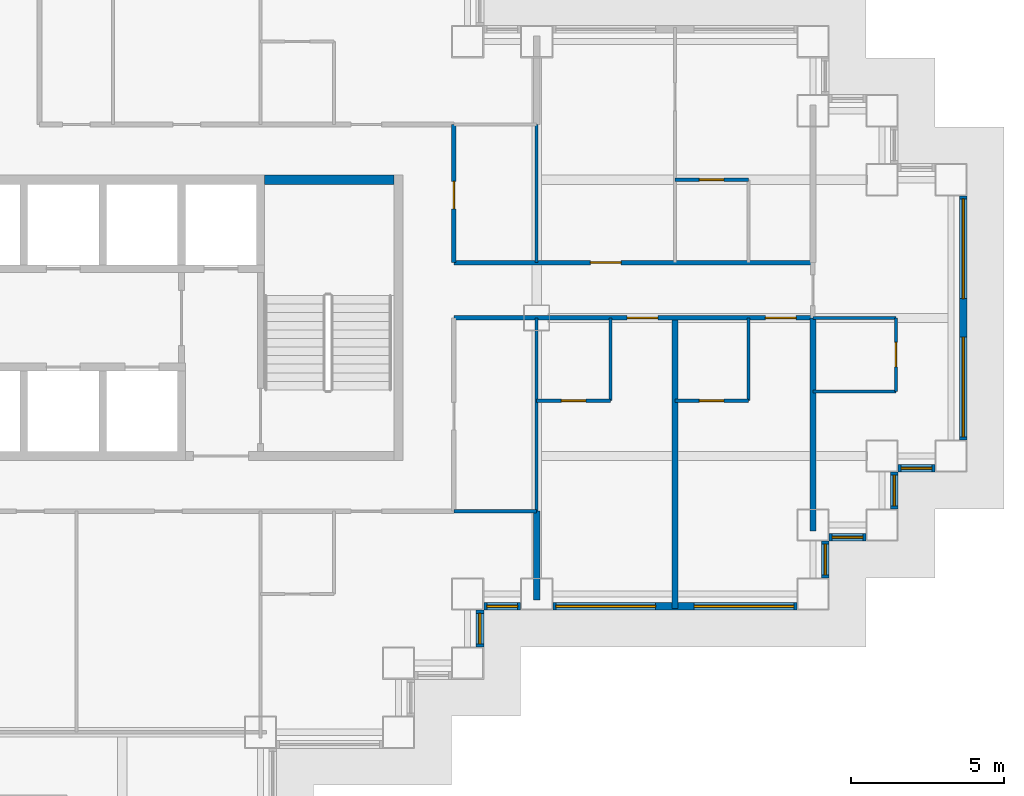
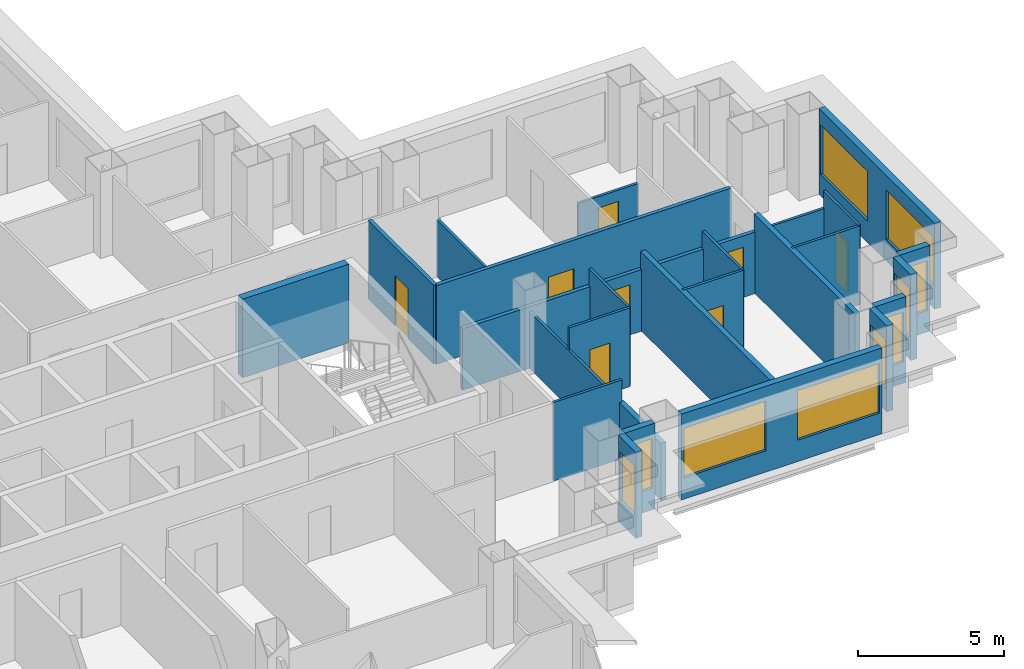
# One storey, part 6 of 14: 26 walls, 10 windows, 8 doors, 18 openings.
"""IFC4 building model written with IfcOpenShell, lengths in metres."""

from ifc_helpers import new_model, si_unit, direction, frame, frame_2d, origin, place, context, subcontext, project, spatial, rectangle, extrude, material, layer, layer_set, type_object, element, fill, save


model = new_model("IFC4")

# Units and contexts
model_context = context("Model", 3, precision=1e-05, world=origin(), true_north=direction((0.0, 1.0)))
body_context = subcontext(model_context, "Body", "Model", "MODEL_VIEW")
ifc_project = project(units=[si_unit("LENGTHUNIT", "METRE"), si_unit("AREAUNIT", "SQUARE_METRE"), si_unit("VOLUMEUNIT", "CUBIC_METRE"), si_unit("PLANEANGLEUNIT", "RADIAN"), si_unit("MASSUNIT", "GRAM", prefix="KILO")], contexts=[model_context])

# Site, building, storey
site_placement = place(None, origin())
site = spatial("IfcSite", under=ifc_project, at=site_placement, CompositionType="ELEMENT")
building_placement = place(site_placement, origin())
building = spatial("IfcBuilding", under=site, at=building_placement, Name="Caravel Reach Hotel and Residences", CompositionType="ELEMENT")
storey_placement = place(building_placement, frame((0.0, 0.0, 40.800048828125)))
storey = spatial("IfcBuildingStorey", under=building, at=storey_placement, Name="L08", CompositionType="ELEMENT", Elevation=40.800048828125)

# Wall, opening, door
ifc_material_1 = material(Name="Gypsum board on steel stud", Category="steel")
ifc_layer_1 = layer(ifc_material_1, 0.10009765625)
ifc_layer_set_1 = layer_set([ifc_layer_1], Name="Bathroom pod wall 100 mm")
wall_type_1 = type_object("IfcWallType", Name="Bathroom pod wall 100 mm", PredefinedType="PARTITIONING", material=ifc_layer_set_1)
wall_1_placement = place(storey_placement, frame((49.5, 24.300048828125, 0.0), z_axis=(0.0, 0.0, 1.0), x_axis=(1.0, 0.0, 0.0)))
wall_1 = element("IfcWall", 1, at=wall_1_placement, inside=storey, type_object=wall_type_1, Name="L08 wall w079", PredefinedType="PARTITIONING", context=body_context, shape_type="SweptSolid", body=[
    extrude(rectangle(XDim=2.39990234375, YDim=0.10009765625, at=frame_2d((1.199951171875, 0.0))), origin(), (0.0, 0.0, 1.0), 3.300048828125),
])
opening_1_placement = place(wall_1_placement, frame((0.800048828125, 0.0, 0.0)))
opening_1 = element("IfcOpeningElement", 2, at=opening_1_placement, cuts=wall_1, Name="Opening D08-020", PredefinedType="OPENING", context=body_context, shape_type="SweptSolid", body=[
    extrude(rectangle(XDim=0.800048828125, YDim=2.10009765625, at=frame_2d((0.39990234375, 1.050048828125))), frame((0.0, 0.06005859375, 0.0), z_axis=(0.0, -1.0, 0.0), x_axis=(1.0, 0.0, 0.0)), (0.0, 0.0, 1.0), 0.1201171875),
])
ifc_material_2 = material(Name="Timber and steel door leaf", Category="steel")
door_type_1 = type_object("IfcDoorType", Name="Bathroom door 800 x 2100", OperationType="SINGLE_SWING_LEFT", PredefinedType="DOOR", material=ifc_material_2)
door_1_placement = place(opening_1_placement, origin())
door_1 = element("IfcDoor", 3, at=door_1_placement, inside=storey, type_object=door_type_1, Name="door D08-020", OperationType="SINGLE_SWING_RIGHT", OverallHeight=2.10009765625, OverallWidth=0.800048828125, PredefinedType="DOOR", context=body_context, shape_type="SweptSolid", body=[
    extrude(rectangle(XDim=0.800048828125, YDim=2.10009765625, at=frame_2d((0.39990234375, 1.050048828125))), frame((0.0, 0.02490234375, 0.0), z_axis=(0.0, -1.0, 0.0), x_axis=(1.0, 0.0, 0.0)), (0.0, 0.0, 1.0), 0.050048828125),
])
fill(opening_1, door_1)

wall_2_placement = place(storey_placement, frame((54.0, 24.300048828125, 0.0), z_axis=(0.0, 0.0, 1.0), x_axis=(1.0, 0.0, 0.0)))
wall_2 = element("IfcWall", 4, at=wall_2_placement, inside=storey, type_object=wall_type_1, Name="L08 wall w080", PredefinedType="PARTITIONING", context=body_context, shape_type="SweptSolid", body=[
    extrude(rectangle(XDim=2.39990234375, YDim=0.10009765625, at=frame_2d((1.199951171875, 0.0))), origin(), (0.0, 0.0, 1.0), 3.300048828125),
])
opening_2_placement = place(wall_2_placement, frame((0.800048828125, 0.0, 0.0)))
opening_2 = element("IfcOpeningElement", 5, at=opening_2_placement, cuts=wall_2, Name="Opening D08-022", PredefinedType="OPENING", context=body_context, shape_type="SweptSolid", body=[
    extrude(rectangle(XDim=0.800048828125, YDim=2.10009765625, at=frame_2d((0.39990234375, 1.050048828125))), frame((0.0, 0.06005859375, 0.0), z_axis=(0.0, -1.0, 0.0), x_axis=(1.0, 0.0, 0.0)), (0.0, 0.0, 1.0), 0.1201171875),
])
door_2_placement = place(opening_2_placement, origin())
door_2 = element("IfcDoor", 6, at=door_2_placement, inside=storey, type_object=door_type_1, Name="door D08-022", OperationType="SINGLE_SWING_RIGHT", OverallHeight=2.10009765625, OverallWidth=0.800048828125, PredefinedType="DOOR", context=body_context, shape_type="SweptSolid", body=[
    extrude(rectangle(XDim=0.800048828125, YDim=2.10009765625, at=frame_2d((0.39990234375, 1.050048828125))), frame((0.0, 0.02490234375, 0.0), z_axis=(0.0, -1.0, 0.0), x_axis=(1.0, 0.0, 0.0)), (0.0, 0.0, 1.0), 0.050048828125),
])
fill(opening_2, door_2)

# Walls
wall_3_placement = place(storey_placement, frame((58.5, 24.60009765625, 0.0), z_axis=(0.0, 0.0, 1.0), x_axis=(1.0, 0.0, 0.0)))
element("IfcWall", 7, at=wall_3_placement, inside=storey, type_object=wall_type_1, Name="L08 wall w081", PredefinedType="PARTITIONING", context=body_context, shape_type="SweptSolid", body=[
    extrude(rectangle(XDim=2.699951171875, YDim=0.10009765625, at=frame_2d((1.35009765625, 0.0))), origin(), (0.0, 0.0, 1.0), 3.300048828125),
])
wall_4_placement = place(storey_placement, frame((58.5, 27.0, 0.0), z_axis=(0.0, 0.0, 1.0), x_axis=(1.0, 0.0, 0.0)))
element("IfcWall", 8, at=wall_4_placement, inside=storey, type_object=wall_type_1, Name="L08 wall w082", PredefinedType="PARTITIONING", context=body_context, shape_type="SweptSolid", body=[
    extrude(rectangle(XDim=2.699951171875, YDim=0.10009765625, at=frame_2d((1.35009765625, 0.0))), origin(), (0.0, 0.0, 1.0), 2.579833984375),
])

# Wall, opening, door
wall_5_placement = place(storey_placement, frame((54.0, 31.5, 0.0), z_axis=(0.0, 0.0, 1.0), x_axis=(1.0, 0.0, 0.0)))
wall_5 = element("IfcWall", 9, at=wall_5_placement, inside=storey, type_object=wall_type_1, Name="L08 wall w084", PredefinedType="PARTITIONING", context=body_context, shape_type="SweptSolid", body=[
    extrude(rectangle(XDim=2.39990234375, YDim=0.10009765625, at=frame_2d((1.199951171875, 0.0))), origin(), (0.0, 0.0, 1.0), 2.579833984375),
])
opening_3_placement = place(wall_5_placement, frame((0.800048828125, 0.0, 0.0)))
opening_3 = element("IfcOpeningElement", 10, at=opening_3_placement, cuts=wall_5, Name="Opening D08-025", PredefinedType="OPENING", context=body_context, shape_type="SweptSolid", body=[
    extrude(rectangle(XDim=0.800048828125, YDim=2.10009765625, at=frame_2d((0.39990234375, 1.050048828125))), frame((0.0, 0.06005859375, 0.0), z_axis=(0.0, -1.0, 0.0), x_axis=(1.0, 0.0, 0.0)), (0.0, 0.0, 1.0), 0.1201171875),
])
door_3_placement = place(opening_3_placement, origin())
door_3 = element("IfcDoor", 11, at=door_3_placement, inside=storey, type_object=door_type_1, Name="door D08-025", OperationType="SINGLE_SWING_LEFT", OverallHeight=2.10009765625, OverallWidth=0.800048828125, PredefinedType="DOOR", context=body_context, shape_type="SweptSolid", body=[
    extrude(rectangle(XDim=0.800048828125, YDim=2.10009765625, at=frame_2d((0.39990234375, 1.050048828125))), frame((0.0, 0.02490234375, 0.0), z_axis=(0.0, -1.0, 0.0), x_axis=(1.0, 0.0, 0.0)), (0.0, 0.0, 1.0), 0.050048828125),
])
fill(opening_3, door_3)

# Walls
for number, where, z_axis, x_axis, name in (
    (12, (51.89990234375, 24.300048828125, 0.0), (0.0, 0.0, 1.0), (0.0, 1.0, 0.0), "L08 wall w101"),
    (13, (56.39990234375, 24.300048828125, 0.0), (0.0, 0.0, 1.0), (0.0, 1.0, 0.0), "L08 wall w102"),
):
    element("IfcWall", number, at=place(storey_placement, frame(where, z_axis=z_axis, x_axis=x_axis)), inside=storey, type_object=wall_type_1, Name=name, PredefinedType="PARTITIONING", context=body_context, shape_type="SweptSolid", body=[
        extrude(rectangle(XDim=2.699951171875, YDim=0.10009765625, at=frame_2d((1.35009765625, 0.0))), origin(), (0.0, 0.0, 1.0), 3.300048828125),
    ])

# Wall, opening, door
wall_6_placement = place(storey_placement, frame((61.199951171875, 24.60009765625, 0.0), z_axis=(0.0, 0.0, 1.0), x_axis=(0.0, 1.0, 0.0)))
wall_6 = element("IfcWall", 14, at=wall_6_placement, inside=storey, type_object=wall_type_1, Name="L08 wall w104", PredefinedType="PARTITIONING", context=body_context, shape_type="SweptSolid", body=[
    extrude(rectangle(XDim=2.39990234375, YDim=0.10009765625, at=frame_2d((1.199951171875, 0.0))), origin(), (0.0, 0.0, 1.0), 3.300048828125),
])
opening_4_placement = place(wall_6_placement, frame((0.800048828125, 0.0, 0.0)))
opening_4 = element("IfcOpeningElement", 15, at=opening_4_placement, cuts=wall_6, Name="Opening D08-038", PredefinedType="OPENING", context=body_context, shape_type="SweptSolid", body=[
    extrude(rectangle(XDim=0.800048828125, YDim=2.10009765625, at=frame_2d((0.39990234375, 1.050048828125))), frame((0.0, 0.06005859375, 0.0), z_axis=(0.0, -1.0, 0.0), x_axis=(1.0, 0.0, 0.0)), (0.0, 0.0, 1.0), 0.1201171875),
])
door_4_placement = place(opening_4_placement, origin())
door_4 = element("IfcDoor", 16, at=door_4_placement, inside=storey, type_object=door_type_1, Name="door D08-038", OperationType="SINGLE_SWING_LEFT", OverallHeight=2.10009765625, OverallWidth=0.800048828125, PredefinedType="DOOR", context=body_context, shape_type="SweptSolid", body=[
    extrude(rectangle(XDim=0.800048828125, YDim=2.10009765625, at=frame_2d((0.39990234375, 1.050048828125))), frame((0.0, 0.02490234375, 0.0), z_axis=(0.0, -1.0, 0.0), x_axis=(1.0, 0.0, 0.0)), (0.0, 0.0, 1.0), 0.050048828125),
])
fill(opening_4, door_4)

# Wall
ifc_material_3 = material(Name="Concrete C60", Category="concrete")
ifc_layer_2 = layer(ifc_material_3, 0.300048828125)
ifc_layer_set_2 = layer_set([ifc_layer_2], Name="Core wall 300 mm EI 120")
wall_type_2 = type_object("IfcWallType", Name="Core wall 300 mm EI 120", PredefinedType="SHEAR", material=ifc_layer_set_2)
wall_7_placement = place(storey_placement, frame((40.625, 31.5, 0.0), z_axis=(0.0, 0.0, 1.0), x_axis=(1.0, 0.0, 0.0)))
element("IfcWall", 17, at=wall_7_placement, inside=storey, type_object=wall_type_2, Name="L08 core wall N2", PredefinedType="SHEAR", context=body_context, shape_type="SweptSolid", body=[
    extrude(rectangle(XDim=4.22509765625, YDim=0.300048828125, at=frame_2d((2.112548828125, 0.0))), origin(), (0.0, 0.0, 1.0), 3.300048828125),
])

# Wall, openings, doors
ifc_material_4 = material(Name="Gypsum board on steel stud, fire-rated", Category="steel")
ifc_layer_3 = layer(ifc_material_4, 0.14990234375)
ifc_layer_set_3 = layer_set([ifc_layer_3], Name="Corridor wall 150 mm EI 60")
wall_type_3 = type_object("IfcWallType", Name="Corridor wall 150 mm EI 60", PredefinedType="PARTITIONING", material=ifc_layer_set_3)
wall_8_placement = place(storey_placement, frame((46.800048828125, 27.0, 0.0), z_axis=(0.0, 0.0, 1.0), x_axis=(1.0, 0.0, 0.0)))
wall_8 = element("IfcWall", 18, at=wall_8_placement, inside=storey, type_object=wall_type_3, Name="L08 wall w011", PredefinedType="PARTITIONING", context=body_context, shape_type="SweptSolid", body=[
    extrude(rectangle(XDim=11.699951171875, YDim=0.14990234375, at=frame_2d((5.85009765625, 0.0))), origin(), (0.0, 0.0, 1.0), 2.579833984375),
])
opening_5_placement = place(wall_8_placement, frame((5.64990234375, 0.0, 0.0)))
opening_5 = element("IfcOpeningElement", 19, at=opening_5_placement, cuts=wall_8, Name="Opening D08-019", PredefinedType="OPENING", context=body_context, shape_type="SweptSolid", body=[
    extrude(rectangle(XDim=1.0, YDim=2.10009765625, at=frame_2d((0.5, 1.050048828125))), frame((0.0, 0.0849609375, 0.0), z_axis=(0.0, -1.0, 0.0), x_axis=(1.0, 0.0, 0.0)), (0.0, 0.0, 1.0), 0.169921875),
])
opening_6_placement = place(wall_8_placement, frame((10.14990234375, 0.0, 0.0)))
opening_6 = element("IfcOpeningElement", 20, at=opening_6_placement, cuts=wall_8, Name="Opening D08-021", PredefinedType="OPENING", context=body_context, shape_type="SweptSolid", body=[
    extrude(rectangle(XDim=1.0, YDim=2.10009765625, at=frame_2d((0.5, 1.050048828125))), frame((0.0, 0.0849609375, 0.0), z_axis=(0.0, -1.0, 0.0), x_axis=(1.0, 0.0, 0.0)), (0.0, 0.0, 1.0), 0.169921875),
])
ifc_material_5 = material(Name="Steel fire door leaf", Category="steel")
door_type_2 = type_object("IfcDoorType", Name="Guest room door 1000 x 2100 EI 30", OperationType="SINGLE_SWING_LEFT", PredefinedType="DOOR", material=ifc_material_5)
door_5_placement = place(opening_5_placement, origin())
door_5 = element("IfcDoor", 21, at=door_5_placement, inside=storey, type_object=door_type_2, Name="door D08-019", OperationType="SINGLE_SWING_RIGHT", OverallHeight=2.10009765625, OverallWidth=1.0, PredefinedType="DOOR", context=body_context, shape_type="SweptSolid", body=[
    extrude(rectangle(XDim=1.0, YDim=2.10009765625, at=frame_2d((0.5, 1.050048828125))), frame((0.0, 0.02490234375, 0.0), z_axis=(0.0, -1.0, 0.0), x_axis=(1.0, 0.0, 0.0)), (0.0, 0.0, 1.0), 0.050048828125),
])
fill(opening_5, door_5)
door_6_placement = place(opening_6_placement, origin())
door_6 = element("IfcDoor", 22, at=door_6_placement, inside=storey, type_object=door_type_2, Name="door D08-021", OperationType="SINGLE_SWING_RIGHT", OverallHeight=2.10009765625, OverallWidth=1.0, PredefinedType="DOOR", context=body_context, shape_type="SweptSolid", body=[
    extrude(rectangle(XDim=1.0, YDim=2.10009765625, at=frame_2d((0.5, 1.050048828125))), frame((0.0, 0.02490234375, 0.0), z_axis=(0.0, -1.0, 0.0), x_axis=(1.0, 0.0, 0.0)), (0.0, 0.0, 1.0), 0.050048828125),
])
fill(opening_6, door_6)

# Wall, opening, door
wall_9_placement = place(storey_placement, frame((46.800048828125, 28.800048828125, 0.0), z_axis=(0.0, 0.0, 1.0), x_axis=(1.0, 0.0, 0.0)))
wall_9 = element("IfcWall", 23, at=wall_9_placement, inside=storey, type_object=wall_type_3, Name="L08 wall w013", PredefinedType="PARTITIONING", context=body_context, shape_type="SweptSolid", body=[
    extrude(rectangle(XDim=11.699951171875, YDim=0.14990234375, at=frame_2d((5.85009765625, 0.0))), origin(), (0.0, 0.0, 1.0), 3.300048828125),
])
opening_7_placement = place(wall_9_placement, frame((4.449951171875, 0.0, 0.0)))
opening_7 = element("IfcOpeningElement", 24, at=opening_7_placement, cuts=wall_9, Name="Opening D08-023", PredefinedType="OPENING", context=body_context, shape_type="SweptSolid", body=[
    extrude(rectangle(XDim=1.0, YDim=2.10009765625, at=frame_2d((0.5, 1.050048828125))), frame((0.0, 0.0849609375, 0.0), z_axis=(0.0, -1.0, 0.0), x_axis=(1.0, 0.0, 0.0)), (0.0, 0.0, 1.0), 0.169921875),
])
door_7_placement = place(opening_7_placement, origin())
door_7 = element("IfcDoor", 25, at=door_7_placement, inside=storey, type_object=door_type_2, Name="door D08-023", OperationType="SINGLE_SWING_LEFT", OverallHeight=2.10009765625, OverallWidth=1.0, PredefinedType="DOOR", context=body_context, shape_type="SweptSolid", body=[
    extrude(rectangle(XDim=1.0, YDim=2.10009765625, at=frame_2d((0.5, 1.050048828125))), frame((0.0, 0.02490234375, 0.0), z_axis=(0.0, -1.0, 0.0), x_axis=(1.0, 0.0, 0.0)), (0.0, 0.0, 1.0), 0.050048828125),
])
fill(opening_7, door_7)

wall_10_placement = place(storey_placement, frame((46.800048828125, 28.800048828125, 0.0), z_axis=(0.0, 0.0, 1.0), x_axis=(0.0, 1.0, 0.0)))
wall_10 = element("IfcWall", 26, at=wall_10_placement, inside=storey, type_object=wall_type_3, Name="L08 wall w034", PredefinedType="PARTITIONING", context=body_context, shape_type="SweptSolid", body=[
    extrude(rectangle(XDim=4.5, YDim=0.14990234375, at=frame_2d((2.25, 0.0))), origin(), (0.0, 0.0, 1.0), 3.300048828125),
])
opening_8_placement = place(wall_10_placement, frame((1.75, 0.0, 0.0)))
opening_8 = element("IfcOpeningElement", 27, at=opening_8_placement, cuts=wall_10, Name="Opening D08-059", PredefinedType="OPENING", context=body_context, shape_type="SweptSolid", body=[
    extrude(rectangle(XDim=0.89990234375, YDim=2.10009765625, at=frame_2d((0.449951171875, 1.050048828125))), frame((0.0, 0.0849609375, 0.0), z_axis=(0.0, -1.0, 0.0), x_axis=(1.0, 0.0, 0.0)), (0.0, 0.0, 1.0), 0.169921875),
])
ifc_material_6 = material(Name="Timber and steel door leaf", Category="steel")
door_type_3 = type_object("IfcDoorType", Name="Door 900 x 2100 timber", OperationType="SINGLE_SWING_LEFT", PredefinedType="DOOR", material=ifc_material_6)
door_8_placement = place(opening_8_placement, origin())
door_8 = element("IfcDoor", 28, at=door_8_placement, inside=storey, type_object=door_type_3, Name="door D08-059", OperationType="SINGLE_SWING_LEFT", OverallHeight=2.10009765625, OverallWidth=0.89990234375, PredefinedType="DOOR", context=body_context, shape_type="SweptSolid", body=[
    extrude(rectangle(XDim=0.89990234375, YDim=2.10009765625, at=frame_2d((0.449951171875, 1.050048828125))), frame((0.0, 0.02490234375, 0.0), z_axis=(0.0, -1.0, 0.0), x_axis=(1.0, 0.0, 0.0)), (0.0, 0.0, 1.0), 0.050048828125),
])
fill(opening_8, door_8)

# Wall, opening, window
ifc_material_7 = material(Name="Insulated rainscreen wall, aluminium cladding", Category="aluminium")
ifc_layer_4 = layer(ifc_material_7, 0.25)
ifc_layer_set_4 = layer_set([ifc_layer_4], Name="EW1 Tower rainscreen wall")
wall_type_4 = type_object("IfcWallType", Name="EW1 Tower rainscreen wall", PredefinedType="SOLIDWALL", material=ifc_layer_set_4)
wall_11_placement = place(storey_placement, frame((47.64990234375, 16.27490234375, 0.0), z_axis=(0.0, 0.0, 1.0), x_axis=(0.0, 1.0, 0.0)))
wall_11 = element("IfcWall", 29, at=wall_11_placement, inside=storey, type_object=wall_type_4, Name="External wall L08 E14.1", PredefinedType="SOLIDWALL", context=body_context, shape_type="SweptSolid", body=[
    extrude(rectangle(XDim=1.2001953125, YDim=0.25, at=frame_2d((0.60009765625, 0.0))), origin(), (0.0, 0.0, 1.0), 3.599853515625),
])
opening_9_placement = place(wall_11_placement, frame((0.10009765625, 0.0, 0.89990234375)))
opening_9 = element("IfcOpeningElement", 30, at=opening_9_placement, cuts=wall_11, Name="Opening WN1", PredefinedType="OPENING", context=body_context, shape_type="SweptSolid", body=[
    extrude(rectangle(XDim=1.0, YDim=2.080078125, at=frame_2d((0.5, 1.0400390625))), frame((0.0, 0.135009765625, 0.0), z_axis=(0.0, -1.0, 0.0), x_axis=(1.0, 0.0, 0.0)), (0.0, 0.0, 1.0), 0.27001953125),
])
ifc_material_8 = material(Name="Dark low-e glazing in black aluminium frame", Category="aluminium")
window_type_1 = type_object("IfcWindowType", Name="Hotel suite corner window 1000 x 2080", PartitioningType="SINGLE_PANEL", PredefinedType="WINDOW", material=ifc_material_8)
window_1_placement = place(opening_9_placement, origin())
window_1 = element("IfcWindow", 31, at=window_1_placement, inside=storey, type_object=window_type_1, Name="Window L08 E14.1.1", OverallHeight=2.080078125, OverallWidth=1.0, PartitioningType="SINGLE_PANEL", PredefinedType="WINDOW", context=body_context, shape_type="SweptSolid", body=[
    extrude(rectangle(XDim=1.0, YDim=2.080078125, at=frame_2d((0.5, 1.0400390625))), frame((0.0, 0.030029296875, 0.0), z_axis=(0.0, -1.0, 0.0), x_axis=(1.0, 0.0, 0.0)), (0.0, 0.0, 1.0), 0.06005859375),
])
fill(opening_9, window_1)

wall_12_placement = place(storey_placement, frame((47.77490234375, 17.60009765625, 0.0), z_axis=(0.0, 0.0, 1.0), x_axis=(1.0, 0.0, 0.0)))
wall_12 = element("IfcWall", 32, at=wall_12_placement, inside=storey, type_object=wall_type_4, Name="External wall L08 S15.1", PredefinedType="SOLIDWALL", context=body_context, shape_type="SweptSolid", body=[
    extrude(rectangle(XDim=1.2001953125, YDim=0.25, at=frame_2d((0.60009765625, 0.0))), origin(), (0.0, 0.0, 1.0), 3.599853515625),
])
opening_10_placement = place(wall_12_placement, frame((0.10009765625, 0.0, 0.89990234375)))
opening_10 = element("IfcOpeningElement", 33, at=opening_10_placement, cuts=wall_12, Name="Opening WN1", PredefinedType="OPENING", context=body_context, shape_type="SweptSolid", body=[
    extrude(rectangle(XDim=1.0, YDim=2.080078125, at=frame_2d((0.5, 1.0400390625))), frame((0.0, 0.135009765625, 0.0), z_axis=(0.0, -1.0, 0.0), x_axis=(1.0, 0.0, 0.0)), (0.0, 0.0, 1.0), 0.27001953125),
])
window_2_placement = place(opening_10_placement, origin())
window_2 = element("IfcWindow", 34, at=window_2_placement, inside=storey, type_object=window_type_1, Name="Window L08 S15.1.1", OverallHeight=2.080078125, OverallWidth=1.0, PartitioningType="SINGLE_PANEL", PredefinedType="WINDOW", context=body_context, shape_type="SweptSolid", body=[
    extrude(rectangle(XDim=1.0, YDim=2.080078125, at=frame_2d((0.5, 1.0400390625))), frame((0.0, 0.030029296875, 0.0), z_axis=(0.0, -1.0, 0.0), x_axis=(1.0, 0.0, 0.0)), (0.0, 0.0, 1.0), 0.06005859375),
])
fill(opening_10, window_2)

# Wall, openings, windows
wall_13_placement = place(storey_placement, frame((50.02490234375, 17.60009765625, 0.0), z_axis=(0.0, 0.0, 1.0), x_axis=(1.0, 0.0, 0.0)))
wall_13 = element("IfcWall", 35, at=wall_13_placement, inside=storey, type_object=wall_type_4, Name="External wall L08 S15.2", PredefinedType="SOLIDWALL", context=body_context, shape_type="SweptSolid", body=[
    extrude(rectangle(XDim=7.9501953125, YDim=0.25, at=frame_2d((3.97509765625, 0.0))), origin(), (0.0, 0.0, 1.0), 3.599853515625),
])
opening_11_placement = place(wall_13_placement, frame((0.10009765625, 0.0, 0.89990234375)))
opening_11 = element("IfcOpeningElement", 36, at=opening_11_placement, cuts=wall_13, Name="Opening WN2", PredefinedType="OPENING", context=body_context, shape_type="SweptSolid", body=[
    extrude(rectangle(XDim=3.25, YDim=2.080078125, at=frame_2d((1.625, 1.0400390625))), frame((0.0, 0.135009765625, 0.0), z_axis=(0.0, -1.0, 0.0), x_axis=(1.0, 0.0, 0.0)), (0.0, 0.0, 1.0), 0.27001953125),
])
opening_12_placement = place(wall_13_placement, frame((4.60009765625, 0.0, 0.89990234375)))
opening_12 = element("IfcOpeningElement", 37, at=opening_12_placement, cuts=wall_13, Name="Opening WN2", PredefinedType="OPENING", context=body_context, shape_type="SweptSolid", body=[
    extrude(rectangle(XDim=3.25, YDim=2.080078125, at=frame_2d((1.625, 1.0400390625))), frame((0.0, 0.135009765625, 0.0), z_axis=(0.0, -1.0, 0.0), x_axis=(1.0, 0.0, 0.0)), (0.0, 0.0, 1.0), 0.27001953125),
])
ifc_material_9 = material(Name="Dark low-e glazing in black aluminium frame", Category="aluminium")
window_type_2 = type_object("IfcWindowType", Name="Hotel guest room window 3250 x 2080", PartitioningType="SINGLE_PANEL", PredefinedType="WINDOW", material=ifc_material_9)
window_3_placement = place(opening_11_placement, origin())
window_3 = element("IfcWindow", 38, at=window_3_placement, inside=storey, type_object=window_type_2, Name="Window L08 S15.2.1", OverallHeight=2.080078125, OverallWidth=3.25, PartitioningType="SINGLE_PANEL", PredefinedType="WINDOW", context=body_context, shape_type="SweptSolid", body=[
    extrude(rectangle(XDim=3.25, YDim=2.080078125, at=frame_2d((1.625, 1.0400390625))), frame((0.0, 0.030029296875, 0.0), z_axis=(0.0, -1.0, 0.0), x_axis=(1.0, 0.0, 0.0)), (0.0, 0.0, 1.0), 0.06005859375),
])
fill(opening_11, window_3)
window_4_placement = place(opening_12_placement, origin())
window_4 = element("IfcWindow", 39, at=window_4_placement, inside=storey, type_object=window_type_2, Name="Window L08 S15.2.2", OverallHeight=2.080078125, OverallWidth=3.25, PartitioningType="SINGLE_PANEL", PredefinedType="WINDOW", context=body_context, shape_type="SweptSolid", body=[
    extrude(rectangle(XDim=3.25, YDim=2.080078125, at=frame_2d((1.625, 1.0400390625))), frame((0.0, 0.030029296875, 0.0), z_axis=(0.0, -1.0, 0.0), x_axis=(1.0, 0.0, 0.0)), (0.0, 0.0, 1.0), 0.06005859375),
])
fill(opening_12, window_4)

# Wall, opening, window
wall_14_placement = place(storey_placement, frame((58.89990234375, 18.52490234375, 0.0), z_axis=(0.0, 0.0, 1.0), x_axis=(0.0, 1.0, 0.0)))
wall_14 = element("IfcWall", 40, at=wall_14_placement, inside=storey, type_object=wall_type_4, Name="External wall L08 E16.1", PredefinedType="SOLIDWALL", context=body_context, shape_type="SweptSolid", body=[
    extrude(rectangle(XDim=1.2001953125, YDim=0.25, at=frame_2d((0.60009765625, 0.0))), origin(), (0.0, 0.0, 1.0), 3.599853515625),
])
opening_13_placement = place(wall_14_placement, frame((0.10009765625, 0.0, 0.89990234375)))
opening_13 = element("IfcOpeningElement", 41, at=opening_13_placement, cuts=wall_14, Name="Opening WN1", PredefinedType="OPENING", context=body_context, shape_type="SweptSolid", body=[
    extrude(rectangle(XDim=1.0, YDim=2.080078125, at=frame_2d((0.5, 1.0400390625))), frame((0.0, 0.135009765625, 0.0), z_axis=(0.0, -1.0, 0.0), x_axis=(1.0, 0.0, 0.0)), (0.0, 0.0, 1.0), 0.27001953125),
])
window_5_placement = place(opening_13_placement, origin())
window_5 = element("IfcWindow", 42, at=window_5_placement, inside=storey, type_object=window_type_1, Name="Window L08 E16.1.1", OverallHeight=2.080078125, OverallWidth=1.0, PartitioningType="SINGLE_PANEL", PredefinedType="WINDOW", context=body_context, shape_type="SweptSolid", body=[
    extrude(rectangle(XDim=1.0, YDim=2.080078125, at=frame_2d((0.5, 1.0400390625))), frame((0.0, 0.030029296875, 0.0), z_axis=(0.0, -1.0, 0.0), x_axis=(1.0, 0.0, 0.0)), (0.0, 0.0, 1.0), 0.06005859375),
])
fill(opening_13, window_5)

wall_15_placement = place(storey_placement, frame((59.02490234375, 19.85009765625, 0.0), z_axis=(0.0, 0.0, 1.0), x_axis=(1.0, 0.0, 0.0)))
wall_15 = element("IfcWall", 43, at=wall_15_placement, inside=storey, type_object=wall_type_4, Name="External wall L08 S17.1", PredefinedType="SOLIDWALL", context=body_context, shape_type="SweptSolid", body=[
    extrude(rectangle(XDim=1.2001953125, YDim=0.25, at=frame_2d((0.60009765625, 0.0))), origin(), (0.0, 0.0, 1.0), 3.599853515625),
])
opening_14_placement = place(wall_15_placement, frame((0.10009765625, 0.0, 0.89990234375)))
opening_14 = element("IfcOpeningElement", 44, at=opening_14_placement, cuts=wall_15, Name="Opening WN1", PredefinedType="OPENING", context=body_context, shape_type="SweptSolid", body=[
    extrude(rectangle(XDim=1.0, YDim=2.080078125, at=frame_2d((0.5, 1.0400390625))), frame((0.0, 0.135009765625, 0.0), z_axis=(0.0, -1.0, 0.0), x_axis=(1.0, 0.0, 0.0)), (0.0, 0.0, 1.0), 0.27001953125),
])
window_6_placement = place(opening_14_placement, origin())
window_6 = element("IfcWindow", 45, at=window_6_placement, inside=storey, type_object=window_type_1, Name="Window L08 S17.1.1", OverallHeight=2.080078125, OverallWidth=1.0, PartitioningType="SINGLE_PANEL", PredefinedType="WINDOW", context=body_context, shape_type="SweptSolid", body=[
    extrude(rectangle(XDim=1.0, YDim=2.080078125, at=frame_2d((0.5, 1.0400390625))), frame((0.0, 0.030029296875, 0.0), z_axis=(0.0, -1.0, 0.0), x_axis=(1.0, 0.0, 0.0)), (0.0, 0.0, 1.0), 0.06005859375),
])
fill(opening_14, window_6)

wall_16_placement = place(storey_placement, frame((61.14990234375, 20.77490234375, 0.0), z_axis=(0.0, 0.0, 1.0), x_axis=(0.0, 1.0, 0.0)))
wall_16 = element("IfcWall", 46, at=wall_16_placement, inside=storey, type_object=wall_type_4, Name="External wall L08 E18.1", PredefinedType="SOLIDWALL", context=body_context, shape_type="SweptSolid", body=[
    extrude(rectangle(XDim=1.2001953125, YDim=0.25, at=frame_2d((0.60009765625, 0.0))), origin(), (0.0, 0.0, 1.0), 3.599853515625),
])
opening_15_placement = place(wall_16_placement, frame((0.10009765625, 0.0, 0.89990234375)))
opening_15 = element("IfcOpeningElement", 47, at=opening_15_placement, cuts=wall_16, Name="Opening WN1", PredefinedType="OPENING", context=body_context, shape_type="SweptSolid", body=[
    extrude(rectangle(XDim=1.0, YDim=2.080078125, at=frame_2d((0.5, 1.0400390625))), frame((0.0, 0.135009765625, 0.0), z_axis=(0.0, -1.0, 0.0), x_axis=(1.0, 0.0, 0.0)), (0.0, 0.0, 1.0), 0.27001953125),
])
window_7_placement = place(opening_15_placement, origin())
window_7 = element("IfcWindow", 48, at=window_7_placement, inside=storey, type_object=window_type_1, Name="Window L08 E18.1.1", OverallHeight=2.080078125, OverallWidth=1.0, PartitioningType="SINGLE_PANEL", PredefinedType="WINDOW", context=body_context, shape_type="SweptSolid", body=[
    extrude(rectangle(XDim=1.0, YDim=2.080078125, at=frame_2d((0.5, 1.0400390625))), frame((0.0, 0.030029296875, 0.0), z_axis=(0.0, -1.0, 0.0), x_axis=(1.0, 0.0, 0.0)), (0.0, 0.0, 1.0), 0.06005859375),
])
fill(opening_15, window_7)

wall_17_placement = place(storey_placement, frame((61.27490234375, 22.10009765625, 0.0), z_axis=(0.0, 0.0, 1.0), x_axis=(1.0, 0.0, 0.0)))
wall_17 = element("IfcWall", 49, at=wall_17_placement, inside=storey, type_object=wall_type_4, Name="External wall L08 S19.1", PredefinedType="SOLIDWALL", context=body_context, shape_type="SweptSolid", body=[
    extrude(rectangle(XDim=1.2001953125, YDim=0.25, at=frame_2d((0.60009765625, 0.0))), origin(), (0.0, 0.0, 1.0), 3.599853515625),
])
opening_16_placement = place(wall_17_placement, frame((0.10009765625, 0.0, 0.89990234375)))
opening_16 = element("IfcOpeningElement", 50, at=opening_16_placement, cuts=wall_17, Name="Opening WN1", PredefinedType="OPENING", context=body_context, shape_type="SweptSolid", body=[
    extrude(rectangle(XDim=1.0, YDim=2.080078125, at=frame_2d((0.5, 1.0400390625))), frame((0.0, 0.135009765625, 0.0), z_axis=(0.0, -1.0, 0.0), x_axis=(1.0, 0.0, 0.0)), (0.0, 0.0, 1.0), 0.27001953125),
])
window_8_placement = place(opening_16_placement, origin())
window_8 = element("IfcWindow", 51, at=window_8_placement, inside=storey, type_object=window_type_1, Name="Window L08 S19.1.1", OverallHeight=2.080078125, OverallWidth=1.0, PartitioningType="SINGLE_PANEL", PredefinedType="WINDOW", context=body_context, shape_type="SweptSolid", body=[
    extrude(rectangle(XDim=1.0, YDim=2.080078125, at=frame_2d((0.5, 1.0400390625))), frame((0.0, 0.030029296875, 0.0), z_axis=(0.0, -1.0, 0.0), x_axis=(1.0, 0.0, 0.0)), (0.0, 0.0, 1.0), 0.06005859375),
])
fill(opening_16, window_8)

# Wall, openings, windows
wall_18_placement = place(storey_placement, frame((63.39990234375, 23.02490234375, 0.0), z_axis=(0.0, 0.0, 1.0), x_axis=(0.0, 1.0, 0.0)))
wall_18 = element("IfcWall", 52, at=wall_18_placement, inside=storey, type_object=wall_type_4, Name="External wall L08 E20.1", PredefinedType="SOLIDWALL", context=body_context, shape_type="SweptSolid", body=[
    extrude(rectangle(XDim=7.9501953125, YDim=0.25, at=frame_2d((3.97509765625, 0.0))), origin(), (0.0, 0.0, 1.0), 3.599853515625),
])
opening_17_placement = place(wall_18_placement, frame((0.10009765625, 0.0, 0.89990234375)))
opening_17 = element("IfcOpeningElement", 53, at=opening_17_placement, cuts=wall_18, Name="Opening WN2", PredefinedType="OPENING", context=body_context, shape_type="SweptSolid", body=[
    extrude(rectangle(XDim=3.25, YDim=2.080078125, at=frame_2d((1.625, 1.0400390625))), frame((0.0, 0.135009765625, 0.0), z_axis=(0.0, -1.0, 0.0), x_axis=(1.0, 0.0, 0.0)), (0.0, 0.0, 1.0), 0.27001953125),
])
opening_18_placement = place(wall_18_placement, frame((4.60009765625, 0.0, 0.89990234375)))
opening_18 = element("IfcOpeningElement", 54, at=opening_18_placement, cuts=wall_18, Name="Opening WN2", PredefinedType="OPENING", context=body_context, shape_type="SweptSolid", body=[
    extrude(rectangle(XDim=3.25, YDim=2.080078125, at=frame_2d((1.625, 1.0400390625))), frame((0.0, 0.135009765625, 0.0), z_axis=(0.0, -1.0, 0.0), x_axis=(1.0, 0.0, 0.0)), (0.0, 0.0, 1.0), 0.27001953125),
])
window_9_placement = place(opening_17_placement, origin())
window_9 = element("IfcWindow", 55, at=window_9_placement, inside=storey, type_object=window_type_2, Name="Window L08 E20.1.1", OverallHeight=2.080078125, OverallWidth=3.25, PartitioningType="SINGLE_PANEL", PredefinedType="WINDOW", context=body_context, shape_type="SweptSolid", body=[
    extrude(rectangle(XDim=3.25, YDim=2.080078125, at=frame_2d((1.625, 1.0400390625))), frame((0.0, 0.030029296875, 0.0), z_axis=(0.0, -1.0, 0.0), x_axis=(1.0, 0.0, 0.0)), (0.0, 0.0, 1.0), 0.06005859375),
])
fill(opening_17, window_9)
window_10_placement = place(opening_18_placement, origin())
window_10 = element("IfcWindow", 56, at=window_10_placement, inside=storey, type_object=window_type_2, Name="Window L08 E20.1.2", OverallHeight=2.080078125, OverallWidth=3.25, PartitioningType="SINGLE_PANEL", PredefinedType="WINDOW", context=body_context, shape_type="SweptSolid", body=[
    extrude(rectangle(XDim=3.25, YDim=2.080078125, at=frame_2d((1.625, 1.0400390625))), frame((0.0, 0.030029296875, 0.0), z_axis=(0.0, -1.0, 0.0), x_axis=(1.0, 0.0, 0.0)), (0.0, 0.0, 1.0), 0.06005859375),
])
fill(opening_18, window_10)

# Walls
ifc_material_10 = material(Name="Gypsum board on steel stud", Category="steel")
ifc_layer_5 = layer(ifc_material_10, 0.10009765625)
ifc_layer_set_5 = layer_set([ifc_layer_5], Name="Partition 100 mm")
wall_type_5 = type_object("IfcWallType", Name="Partition 100 mm", PredefinedType="PARTITIONING", material=ifc_layer_set_5)
wall_19_placement = place(storey_placement, frame((46.800048828125, 20.699951171875, 0.0), z_axis=(0.0, 0.0, 1.0), x_axis=(1.0, 0.0, 0.0)))
element("IfcWall", 57, at=wall_19_placement, inside=storey, type_object=wall_type_5, Name="L08 wall w042", PredefinedType="PARTITIONING", context=body_context, shape_type="SweptSolid", body=[
    extrude(rectangle(XDim=2.699951171875, YDim=0.10009765625, at=frame_2d((1.35009765625, 0.0))), origin(), (0.0, 0.0, 1.0), 3.300048828125),
])
wall_20_placement = place(storey_placement, frame((49.5, 20.699951171875, 0.0), z_axis=(0.0, 0.0, 1.0), x_axis=(0.0, 1.0, 0.0)))
element("IfcWall", 58, at=wall_20_placement, inside=storey, type_object=wall_type_5, Name="L08 wall w062", PredefinedType="PARTITIONING", context=body_context, shape_type="SweptSolid", body=[
    extrude(rectangle(XDim=6.300048828125, YDim=0.10009765625, at=frame_2d((3.14990234375, 0.0))), origin(), (0.0, 0.0, 1.0), 2.3798828125),
])
wall_21_placement = place(storey_placement, frame((49.5, 28.800048828125, 0.0), z_axis=(0.0, 0.0, 1.0), x_axis=(0.0, 1.0, 0.0)))
element("IfcWall", 59, at=wall_21_placement, inside=storey, type_object=wall_type_5, Name="L08 wall w063", PredefinedType="PARTITIONING", context=body_context, shape_type="SweptSolid", body=[
    extrude(rectangle(XDim=4.5, YDim=0.10009765625, at=frame_2d((2.25, 0.0))), origin(), (0.0, 0.0, 1.0), 2.3798828125),
])
ifc_material_11 = material(Name="Autoclaved aerated block wall")
ifc_layer_6 = layer(ifc_material_11, 0.199951171875)
ifc_layer_set_6 = layer_set([ifc_layer_6], Name="Party wall 200 mm EI 60")
wall_type_6 = type_object("IfcWallType", Name="Party wall 200 mm EI 60", PredefinedType="PARTITIONING", material=ifc_layer_set_6)
wall_22_placement = place(storey_placement, frame((49.5, 17.81005859375, 0.0), z_axis=(0.0, 0.0, 1.0), x_axis=(0.0, 1.0, 0.0)))
element("IfcWall", 60, at=wall_22_placement, inside=storey, type_object=wall_type_6, Name="L08 wall w069", PredefinedType="PARTITIONING", context=body_context, shape_type="SweptSolid", body=[
    extrude(rectangle(XDim=2.889892578125, YDim=0.199951171875, at=frame_2d((1.44482421875, 0.0))), origin(), (0.0, 0.0, 1.0), 2.3798828125),
])
wall_23_placement = place(storey_placement, frame((54.0, 17.534912109375, 0.0), z_axis=(0.0, 0.0, 1.0), x_axis=(0.0, 1.0, 0.0)))
element("IfcWall", 61, at=wall_23_placement, inside=storey, type_object=wall_type_6, Name="L08 wall w071", PredefinedType="PARTITIONING", context=body_context, shape_type="SweptSolid", body=[
    extrude(rectangle(XDim=9.465087890625, YDim=0.199951171875, at=frame_2d((4.732421875, 0.0))), origin(), (0.0, 0.0, 1.0), 3.300048828125),
])
wall_24_placement = place(storey_placement, frame((58.5, 20.06005859375, 0.0), z_axis=(0.0, 0.0, 1.0), x_axis=(0.0, 1.0, 0.0)))
element("IfcWall", 62, at=wall_24_placement, inside=storey, type_object=wall_type_6, Name="L08 wall w072", PredefinedType="PARTITIONING", context=body_context, shape_type="SweptSolid", body=[
    extrude(rectangle(XDim=6.93994140625, YDim=0.199951171875, at=frame_2d((3.469970703125, 0.0))), origin(), (0.0, 0.0, 1.0), 3.300048828125),
])

save(model, "model.ifc")
